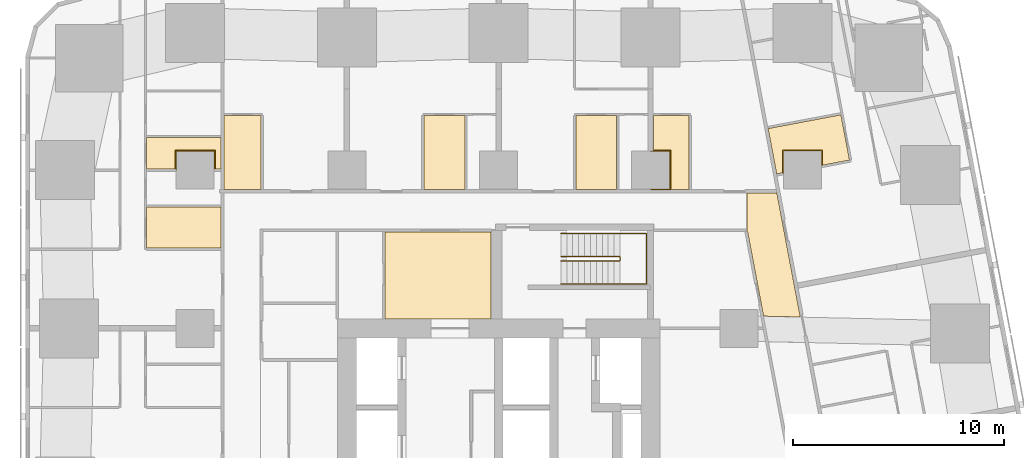
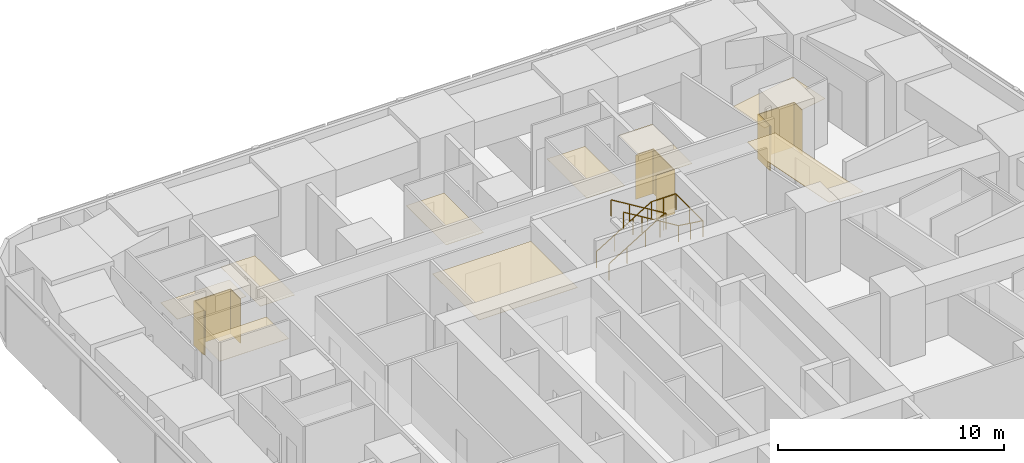
# One storey, part 15 of 15: 12 coverings, 2 railings.
"""IFC4 building model written with IfcOpenShell, lengths in metres."""

from ifc_helpers import new_model, si_unit, direction, frame, origin, origin_2d, place, context, subcontext, project, spatial, polyline, circle, outline, extrude, material, layer, layer_set, type_object, element, save


model = new_model("IFC4")

# Units and contexts
model_context = context("Model", 3, precision=1e-05, world=origin(), true_north=direction((0.0, 1.0)))
body_context = subcontext(model_context, "Body", "Model", "MODEL_VIEW")
ifc_project = project(units=[si_unit("LENGTHUNIT", "METRE"), si_unit("AREAUNIT", "SQUARE_METRE"), si_unit("VOLUMEUNIT", "CUBIC_METRE"), si_unit("PLANEANGLEUNIT", "RADIAN"), si_unit("MASSUNIT", "GRAM", prefix="KILO")], contexts=[model_context])

# Site, building, storey
site_placement = place(None, origin())
site = spatial("IfcSite", under=ifc_project, at=site_placement, CompositionType="ELEMENT")
building_placement = place(site_placement, origin())
building = spatial("IfcBuilding", under=site, at=building_placement, Name="Sheger Commons Tower", CompositionType="ELEMENT")
storey_placement = place(building_placement, frame((0.0, 0.0, 42.5)))
storey = spatial("IfcBuildingStorey", under=building, at=storey_placement, Name="L10", CompositionType="ELEMENT", Elevation=42.5)

# Railings
ifc_material_1 = material(Name="Steel handrail, black powder-coated", Category="steel")
railing_type = type_object("IfcRailingType", Name="HANDRAIL 900", PredefinedType="HANDRAIL", material=ifc_material_1)
railing_1_placement = place(storey_placement, frame((24.550048828125, 33.39990234375, 0.17041015625)))
element("IfcRailing", 1, at=railing_1_placement, inside=storey, type_object=railing_type, Name="Stair S2 handrail L10", PredefinedType="HANDRAIL", context=body_context, shape_type="SweptSolid", body=[
    extrude(circle(Radius=0.02392578125, at=origin_2d()), frame((0.0, 0.0, 0.8759765625), z_axis=(0.854169791009, 0.0, 0.51999420009), x_axis=(0.0, 1.0, 0.0)), (0.0, 0.0, 1.0), 3.278076171875),
    extrude(circle(Radius=0.02392578125, at=origin_2d()), frame((2.800048828125, 0.0, 2.58056640625), z_axis=(0.0, -0.761090297175, 0.648645943136), x_axis=(1.0, 0.0, 0.0)), (0.0, 0.0, 1.0), 0.2626953125),
    extrude(circle(Radius=0.02392578125, at=origin_2d()), frame((2.800048828125, -0.199951171875, 2.7509765625), z_axis=(-0.854169791009, 0.0, 0.51999420009), x_axis=(0.0, -1.0, 0.0)), (0.0, 0.0, 1.0), 3.278076171875),
    extrude(circle(Radius=0.02099609375, at=origin_2d()), origin(), (0.0, 0.0, 1.0), 0.851806640625),
    extrude(circle(Radius=0.02099609375, at=origin_2d()), frame((0.933349609375, 0.0, 0.568115234375)), (0.0, 0.0, 1.0), 0.851806640625),
    extrude(circle(Radius=0.02099609375, at=origin_2d()), frame((1.86669921875, 0.0, 1.136474609375)), (0.0, 0.0, 1.0), 0.851806640625),
    extrude(circle(Radius=0.02099609375, at=origin_2d()), frame((2.800048828125, 0.0, 1.70458984375)), (0.0, 0.0, 1.0), 0.851806640625),
    extrude(circle(Radius=0.02099609375, at=origin_2d()), frame((2.800048828125, -0.199951171875, 1.875)), (0.0, 0.0, 1.0), 0.851806640625),
    extrude(circle(Radius=0.02099609375, at=origin_2d()), frame((1.86669921875, -0.199951171875, 2.443115234375)), (0.0, 0.0, 1.0), 0.851806640625),
    extrude(circle(Radius=0.02099609375, at=origin_2d()), frame((0.933349609375, -0.199951171875, 3.011474609375)), (0.0, 0.0, 1.0), 0.851806640625),
    extrude(circle(Radius=0.02099609375, at=origin_2d()), frame((0.0, -0.199951171875, 3.57958984375)), (0.0, 0.0, 1.0), 0.851806640625),
])
railing_2_placement = place(storey_placement, frame((24.550048828125, 34.5, 0.17041015625)))
element("IfcRailing", 2, at=railing_2_placement, inside=storey, type_object=railing_type, Name="Stair S2 handrail L10", PredefinedType="HANDRAIL", context=body_context, shape_type="SweptSolid", body=[
    extrude(circle(Radius=0.02392578125, at=origin_2d()), frame((0.0, 0.0, 0.8759765625), z_axis=(0.854169791009, 0.0, 0.51999420009), x_axis=(0.0, 1.0, 0.0)), (0.0, 0.0, 1.0), 3.278076171875),
    extrude(circle(Radius=0.02392578125, at=origin_2d()), frame((2.800048828125, 0.0, 2.58056640625), z_axis=(1.0, 0.0, 0.0), x_axis=(0.0, 1.0, 0.0)), (0.0, 0.0, 1.0), 1.25),
    extrude(circle(Radius=0.02392578125, at=origin_2d()), frame((4.050048828125, 0.0, 2.58056640625), z_axis=(0.0, -1.0, 0.0), x_axis=(1.0, 0.0, 0.0)), (0.0, 0.0, 1.0), 2.39990234375),
    extrude(circle(Radius=0.02392578125, at=origin_2d()), frame((4.050048828125, -2.39990234375, 2.58056640625), z_axis=(-0.990834877927, 0.0, 0.135078661092), x_axis=(0.0, -1.0, 0.0)), (0.0, 0.0, 1.0), 1.261474609375),
    extrude(circle(Radius=0.02392578125, at=origin_2d()), frame((2.800048828125, -2.39990234375, 2.7509765625), z_axis=(-0.854169791009, 0.0, 0.51999420009), x_axis=(0.0, -1.0, 0.0)), (0.0, 0.0, 1.0), 3.278076171875),
    extrude(circle(Radius=0.02099609375, at=origin_2d()), origin(), (0.0, 0.0, 1.0), 0.851806640625),
    extrude(circle(Radius=0.02099609375, at=origin_2d()), frame((0.933349609375, 0.0, 0.568115234375)), (0.0, 0.0, 1.0), 0.851806640625),
    extrude(circle(Radius=0.02099609375, at=origin_2d()), frame((1.86669921875, 0.0, 1.136474609375)), (0.0, 0.0, 1.0), 0.851806640625),
    extrude(circle(Radius=0.02099609375, at=origin_2d()), frame((2.800048828125, 0.0, 1.70458984375)), (0.0, 0.0, 1.0), 0.851806640625),
    extrude(circle(Radius=0.02099609375, at=origin_2d()), frame((3.425048828125, 0.0, 1.70458984375)), (0.0, 0.0, 1.0), 0.851806640625),
    extrude(circle(Radius=0.02099609375, at=origin_2d()), frame((4.050048828125, 0.0, 1.70458984375)), (0.0, 0.0, 1.0), 0.851806640625),
    extrude(circle(Radius=0.02099609375, at=origin_2d()), frame((4.050048828125, -1.199951171875, 1.70458984375)), (0.0, 0.0, 1.0), 0.851806640625),
    extrude(circle(Radius=0.02099609375, at=origin_2d()), frame((4.050048828125, -2.39990234375, 1.70458984375)), (0.0, 0.0, 1.0), 0.851806640625),
    extrude(circle(Radius=0.02099609375, at=origin_2d()), frame((3.425048828125, -2.39990234375, 1.789794921875)), (0.0, 0.0, 1.0), 0.851806640625),
    extrude(circle(Radius=0.02099609375, at=origin_2d()), frame((2.800048828125, -2.39990234375, 1.875)), (0.0, 0.0, 1.0), 0.851806640625),
    extrude(circle(Radius=0.02099609375, at=origin_2d()), frame((1.86669921875, -2.39990234375, 2.443115234375)), (0.0, 0.0, 1.0), 0.851806640625),
    extrude(circle(Radius=0.02099609375, at=origin_2d()), frame((0.933349609375, -2.39990234375, 3.011474609375)), (0.0, 0.0, 1.0), 0.851806640625),
    extrude(circle(Radius=0.02099609375, at=origin_2d()), frame((0.0, -2.39990234375, 3.57958984375)), (0.0, 0.0, 1.0), 0.851806640625),
])

# Coverings
ifc_material_2 = material(Name="Moisture-resistant gypsum plasterboard 15 mm on a suspended galvanised steel grid", Category="steel")
ifc_layer_1 = layer(ifc_material_2, 0.014892578125)
ifc_layer_set_1 = layer_set([ifc_layer_1], Name="MOISTURE-RESISTANT CEILING 15")
covering_type_1 = type_object("IfcCoveringType", Name="MOISTURE-RESISTANT CEILING 15", PredefinedType="CEILING", material=ifc_layer_set_1)
covering_1_placement = place(storey_placement, frame((0.0, 0.0, 2.39990234375)))
element("IfcCovering", 3, at=covering_1_placement, inside=storey, type_object=covering_type_1, Name="L10-04.B1 ceiling", PredefinedType="CEILING", context=body_context, shape_type="SweptSolid", body=[
    extrude(outline(polyline([(4.905029296875, 33.804931640625), (8.419921875, 33.804931640625), (8.419921875, 35.7451171875), (4.905029296875, 35.7451171875), (4.905029296875, 33.804931640625)])), origin(), (0.0, 0.0, 1.0), 0.01513671875),
])
covering_2_placement = place(storey_placement, frame((0.0, 0.0, 2.39990234375)))
element("IfcCovering", 4, at=covering_2_placement, inside=storey, type_object=covering_type_1, Name="L10-04.B2 ceiling", PredefinedType="CEILING", context=body_context, shape_type="SweptSolid", body=[
    extrude(outline(polyline([(4.905029296875, 37.554931640625), (6.294921875, 37.554931640625), (6.294921875, 38.405029296875), (8.10498046875, 38.405029296875), (8.10498046875, 37.554931640625), (8.419921875, 37.554931640625), (8.419921875, 39.044921875), (4.905029296875, 39.044921875), (4.905029296875, 37.554931640625)])), origin(), (0.0, 0.0, 1.0), 0.01513671875),
])
covering_3_placement = place(storey_placement, frame((0.0, 0.0, 2.39990234375)))
element("IfcCovering", 5, at=covering_3_placement, inside=storey, type_object=covering_type_1, Name="L10-10.B1 ceiling", PredefinedType="CEILING", context=body_context, shape_type="SweptSolid", body=[
    extrude(outline(polyline([(34.781005859375, 37.325927734375), (35.0849609375, 37.383056640625), (35.093017578125, 37.340087890625), (35.094970703125, 37.340087890625), (35.094970703125, 38.405029296875), (36.905029296875, 38.405029296875), (36.905029296875, 37.72802734375), (38.23388671875, 37.97900390625), (37.827880859375, 40.126953125), (34.375, 39.47509765625), (34.781005859375, 37.325927734375)])), origin(), (0.0, 0.0, 1.0), 0.01513671875),
])
covering_4_placement = place(storey_placement, frame((0.0, 0.0, 2.39990234375)))
element("IfcCovering", 6, at=covering_4_placement, inside=storey, type_object=covering_type_1, Name="L10-14.B1 ceiling", PredefinedType="CEILING", context=body_context, shape_type="SweptSolid", body=[
    extrude(outline(polyline([(8.580078125, 36.580078125), (10.3349609375, 36.580078125), (10.3349609375, 40.094970703125), (8.580078125, 40.094970703125), (8.580078125, 36.580078125)])), origin(), (0.0, 0.0, 1.0), 0.01513671875),
])
covering_5_placement = place(storey_placement, frame((0.0, 0.0, 2.39990234375)))
element("IfcCovering", 7, at=covering_5_placement, inside=storey, type_object=covering_type_1, Name="L10-15.B1 ceiling", PredefinedType="CEILING", context=body_context, shape_type="SweptSolid", body=[
    extrude(outline(polyline([(18.054931640625, 36.580078125), (19.9951171875, 36.580078125), (19.9951171875, 40.094970703125), (18.054931640625, 40.094970703125), (18.054931640625, 36.580078125)])), origin(), (0.0, 0.0, 1.0), 0.01513671875),
])
covering_6_placement = place(storey_placement, frame((0.0, 0.0, 2.39990234375)))
element("IfcCovering", 8, at=covering_6_placement, inside=storey, type_object=covering_type_1, Name="L10-16.B1 ceiling", PredefinedType="CEILING", context=body_context, shape_type="SweptSolid", body=[
    extrude(outline(polyline([(25.2548828125, 36.580078125), (27.195068359375, 36.580078125), (27.195068359375, 40.094970703125), (25.2548828125, 40.094970703125), (25.2548828125, 36.580078125)])), origin(), (0.0, 0.0, 1.0), 0.01513671875),
])
covering_7_placement = place(storey_placement, frame((0.0, 0.0, 2.39990234375)))
element("IfcCovering", 9, at=covering_7_placement, inside=storey, type_object=covering_type_1, Name="L10-17.B1 ceiling", PredefinedType="CEILING", context=body_context, shape_type="SweptSolid", body=[
    extrude(outline(polyline([(28.800048828125, 36.580078125), (30.635009765625, 36.580078125), (30.635009765625, 40.094970703125), (28.929931640625, 40.094970703125), (28.929931640625, 38.405029296875), (29.705078125, 38.405029296875), (29.705078125, 36.594970703125), (28.800048828125, 36.594970703125), (28.800048828125, 36.580078125)])), origin(), (0.0, 0.0, 1.0), 0.01513671875),
])
ifc_material_3 = material(Name="Gypsum plasterboard 15 mm on a suspended steel grid", Category="steel")
ifc_layer_2 = layer(ifc_material_3, 0.014892578125)
ifc_layer_set_2 = layer_set([ifc_layer_2], Name="SUSPENDED CEILING 15")
covering_type_2 = type_object("IfcCoveringType", Name="SUSPENDED CEILING 15", PredefinedType="CEILING", material=ifc_layer_set_2)
covering_8_placement = place(storey_placement, frame((0.0, 0.0, 2.699951171875)))
element("IfcCovering", 10, at=covering_8_placement, inside=storey, type_object=covering_type_2, Name="L10-CO ceiling", PredefinedType="CEILING", context=body_context, shape_type="SweptSolid", body=[
    extrude(outline(polyline([(35.89990234375, 30.5400390625), (34.77392578125, 36.5), (34.77001953125, 36.5), (34.77001953125, 36.419921875), (33.365966796875, 36.419921875), (33.365966796875, 34.699951171875), (33.365966796875, 34.697998046875), (33.364013671875, 34.697998046875), (33.382080078125, 34.60205078125), (33.39892578125, 34.60498046875), (34.159912109375, 30.5791015625), (35.89990234375, 30.5400390625)])), origin(), (0.0, 0.0, 1.0), 0.01513671875),
])
covering_9_placement = place(storey_placement, frame((0.0, 0.0, 2.699951171875)))
element("IfcCovering", 11, at=covering_9_placement, inside=storey, type_object=covering_type_2, Name="L10-SVN1 ceiling", PredefinedType="CEILING", context=body_context, shape_type="SweptSolid", body=[
    extrude(outline(polyline([(16.217041015625, 30.455078125), (21.2451171875, 30.455078125), (21.2451171875, 34.58203125), (16.217041015625, 34.58203125), (16.217041015625, 30.455078125)])), origin(), (0.0, 0.0, 1.0), 0.01513671875),
])
ifc_material_4 = material(Name="Moisture-resistant gypsum board 12.5 mm on 25 mm treated timber battens, tanked and tiled", Category="wood")
ifc_layer_3 = layer(ifc_material_4, 0.050048828125)
ifc_layer_set_3 = layer_set([ifc_layer_3], Name="WET-ROOM COLUMN LINING")
covering_type_3 = type_object("IfcCoveringType", Name="WET-ROOM COLUMN LINING", PredefinedType="CLADDING", material=ifc_layer_set_3)
covering_10_placement = place(storey_placement, origin())
element("IfcCovering", 12, at=covering_10_placement, inside=storey, type_object=covering_type_3, Name="Shower room column lining C8 L10", PredefinedType="CLADDING", context=body_context, shape_type="SweptSolid", body=[
    extrude(outline(polyline([(8.14990234375, 38.449951171875), (8.14990234375, 37.550048828125), (8.10107421875, 37.550048828125), (8.10107421875, 37.5), (8.10009765625, 37.5), (8.10009765625, 38.39990234375), (6.300048828125, 38.39990234375), (6.300048828125, 37.5), (6.299072265625, 37.5), (6.299072265625, 37.550048828125), (6.25, 37.550048828125), (6.25, 38.449951171875), (8.14990234375, 38.449951171875)])), origin(), (0.0, 0.0, 1.0), 2.39990234375),
])
covering_11_placement = place(storey_placement, origin())
element("IfcCovering", 13, at=covering_11_placement, inside=storey, type_object=covering_type_3, Name="Shower room column lining C8 L10", PredefinedType="CLADDING", context=body_context, shape_type="SweptSolid", body=[
    extrude(outline(polyline([(29.75, 36.574951171875), (28.800048828125, 36.574951171875), (28.800048828125, 36.60009765625), (29.699951171875, 36.60009765625), (29.699951171875, 38.39990234375), (28.800048828125, 38.39990234375), (28.800048828125, 38.40087890625), (28.925048828125, 38.40087890625), (28.925048828125, 38.449951171875), (29.75, 38.449951171875), (29.75, 36.574951171875)])), origin(), (0.0, 0.0, 1.0), 2.39990234375),
])
covering_12_placement = place(storey_placement, origin())
element("IfcCovering", 14, at=covering_12_placement, inside=storey, type_object=covering_type_3, Name="Bathroom column lining C8 L10", PredefinedType="CLADDING", context=body_context, shape_type="SweptSolid", body=[
    extrude(outline(polyline([(36.949951171875, 38.449951171875), (36.949951171875, 37.73095703125), (36.90087890625, 37.721923828125), (36.909912109375, 37.673095703125), (36.89990234375, 37.6708984375), (36.89990234375, 38.39990234375), (35.10009765625, 38.39990234375), (35.10009765625, 37.330078125), (35.090087890625, 37.327880859375), (35.0810546875, 37.376953125), (35.050048828125, 37.37109375), (35.050048828125, 38.449951171875), (36.949951171875, 38.449951171875)])), origin(), (0.0, 0.0, 1.0), 2.39990234375),
])

save(model, "model.ifc")
